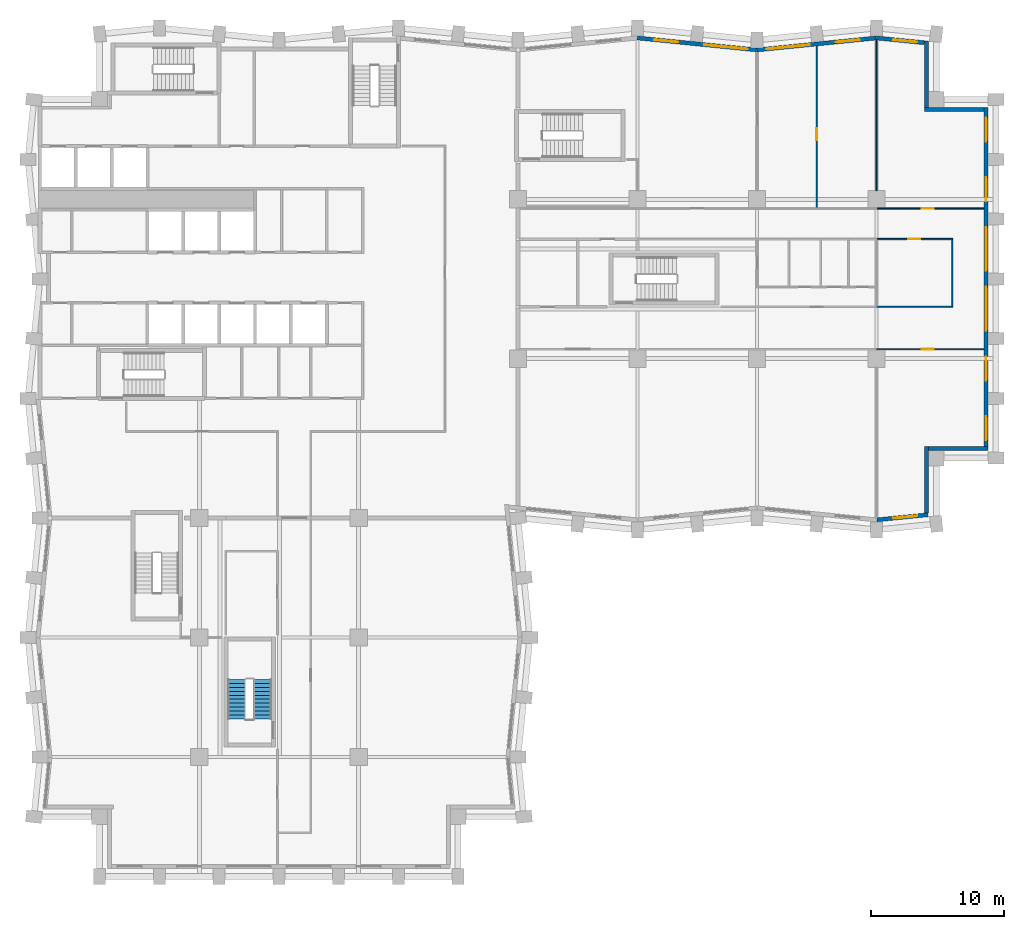
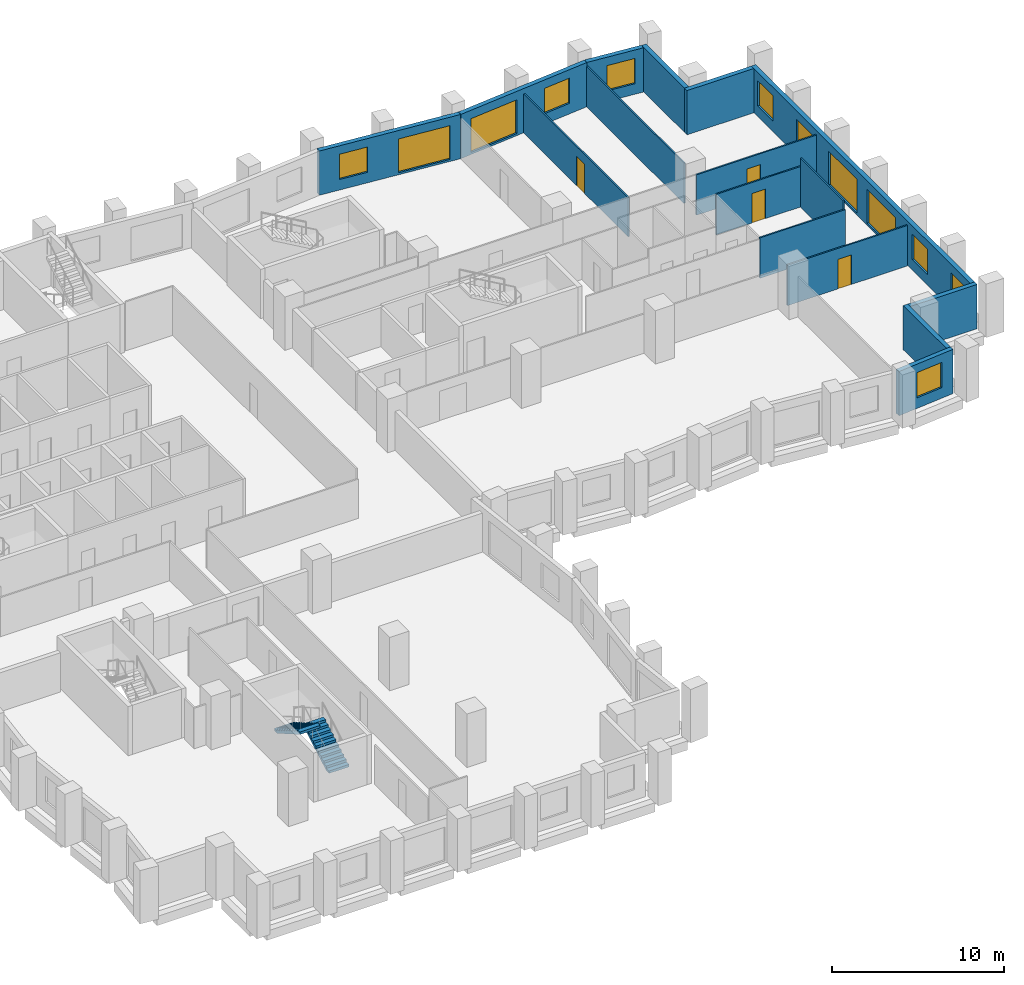
# One storey, part 8 of 11: 16 walls, 12 windows, 4 doors, 2 stair flights, 16 openings, 1 element without a shape of its own.
"""IFC4 building model written with IfcOpenShell, lengths in metres."""

from ifc_helpers import new_model, si_unit, direction, frame, frame_2d, origin, place, context, subcontext, project, spatial, polyline, rectangle, outline, extrude, material, layer, layer_set, type_object, element, fill, aggregate, save


model = new_model("IFC4")

# Units and contexts
model_context = context("Model", 3, precision=1e-05, world=origin(), true_north=direction((0.0, 1.0)))
body_context = subcontext(model_context, "Body", "Model", "MODEL_VIEW")
ifc_project = project(units=[si_unit("LENGTHUNIT", "METRE"), si_unit("AREAUNIT", "SQUARE_METRE"), si_unit("VOLUMEUNIT", "CUBIC_METRE"), si_unit("PLANEANGLEUNIT", "RADIAN"), si_unit("MASSUNIT", "GRAM", prefix="KILO")], contexts=[model_context])

# Site, building, storey
site_placement = place(None, origin())
site = spatial("IfcSite", under=ifc_project, at=site_placement, CompositionType="ELEMENT")
building_placement = place(site_placement, origin())
building = spatial("IfcBuilding", under=site, at=building_placement, Name="Brondeck Convention Tower", CompositionType="ELEMENT")
storey_placement = place(building_placement, frame((0.0, 0.0, 115.10009765625)))
storey = spatial("IfcBuildingStorey", under=building, at=storey_placement, Name="L27", CompositionType="ELEMENT", Elevation=115.10009765625)

# Wall, opening, window
ifc_material_1 = material(Name="Precast concrete C50/60 bronze finish", Category="concrete")
ifc_layer_1 = layer(ifc_material_1, 0.070068359375, Name="Bronze precast facing")
ifc_material_2 = material(Name="Mineral wool")
ifc_layer_2 = layer(ifc_material_2, 0.159912109375, Name="Insulation")
ifc_material_3 = material(Name="Concrete C35/45", Category="concrete")
ifc_layer_3 = layer(ifc_material_3, 0.070068359375, Name="Backing")
ifc_layer_set_1 = layer_set([ifc_layer_1, ifc_layer_2, ifc_layer_3], Name="External infill wall, precast concrete C50/60 bronze facing")
wall_type_1 = type_object("IfcWallType", Name="External infill wall, precast concrete C50/60 bronze facing", PredefinedType="SOLIDWALL", material=ifc_layer_set_1)
wall_1_placement = place(storey_placement, frame((66.885009765625, 27.2421875, 0.0), z_axis=(0.0, 0.0, 1.0), x_axis=(-0.995037814081, -0.099497480111, 0.0)))
wall_1 = element("IfcWall", 1, at=wall_1_placement, inside=storey, type_object=wall_type_1, Name="ENV-EW-L27-P0-A-S-06", PredefinedType="SOLIDWALL", context=body_context, shape_type="SweptSolid", body=[
    extrude(rectangle(XDim=3.87451171875, YDim=0.300048828125, at=frame_2d((1.937255859375, 0.0))), origin(), (0.0, 0.0, 1.0), 3.14990234375),
])
opening_1_placement = place(wall_1_placement, frame((0.818359375, 0.0, 0.75)))
opening_1 = element("IfcOpeningElement", 2, at=opening_1_placement, cuts=wall_1, Name="Opening W10", PredefinedType="OPENING", context=body_context, shape_type="SweptSolid", body=[
    extrude(rectangle(XDim=1.800048828125, YDim=1.800048828125, at=frame_2d((0.89990234375, 0.89990234375))), frame((0.0, 0.159912109375, 0.0), z_axis=(0.0, -1.0, 0.0), x_axis=(1.0, 0.0, 0.0)), (0.0, 0.0, 1.0), 0.320068359375),
])
ifc_material_4 = material(Name="Bronze tinted double glazing", Category="glass")
window_type_1 = type_object("IfcWindowType", Name="Punched window, bronze tinted", PartitioningType="SINGLE_PANEL", PredefinedType="WINDOW", material=ifc_material_4)
window_1_placement = place(opening_1_placement, origin())
window_1 = element("IfcWindow", 3, at=window_1_placement, inside=storey, type_object=window_type_1, Name="ENV-WN-L27-P0-A-S-06", OverallHeight=1.800048828125, OverallWidth=1.800048828125, PartitioningType="SINGLE_PANEL", PredefinedType="WINDOW", context=body_context, shape_type="SweptSolid", body=[
    extrude(rectangle(XDim=1.800048828125, YDim=1.800048828125, at=frame_2d((0.89990234375, 0.89990234375))), frame((0.0, 0.030029296875, 0.0), z_axis=(0.0, -1.0, 0.0), x_axis=(1.0, 0.0, 0.0)), (0.0, 0.0, 1.0), 0.06005859375),
])
fill(opening_1, window_1)

# Walls
wall_2_placement = place(storey_placement, frame((66.75, 32.39990234375, 0.0), z_axis=(0.0, 0.0, 1.0), x_axis=(0.0, -1.0, 0.0)))
element("IfcWall", 4, at=wall_2_placement, inside=storey, type_object=wall_type_1, Name="ENV-EW-L27-P0-NC-SEA72-01", PredefinedType="SOLIDWALL", context=body_context, shape_type="SweptSolid", body=[
    extrude(rectangle(XDim=5.019287109375, YDim=0.300048828125, at=frame_2d((2.509765625, 0.0))), origin(), (0.0, 0.0, 1.0), 3.14990234375),
])
wall_3_placement = place(storey_placement, frame((71.39990234375, 32.25, 0.0), z_axis=(0.0, 0.0, 1.0), x_axis=(-1.0, 0.0, 0.0)))
element("IfcWall", 5, at=wall_3_placement, inside=storey, type_object=wall_type_1, Name="ENV-EW-L27-P0-NC-SEA72-02", PredefinedType="SOLIDWALL", context=body_context, shape_type="SweptSolid", body=[
    extrude(rectangle(XDim=4.5, YDim=0.300048828125, at=frame_2d((2.25, 0.0))), origin(), (0.0, 0.0, 1.0), 3.14990234375),
])

# Wall, openings, windows
wall_4_placement = place(storey_placement, frame((71.25, 57.89990234375, 0.0), z_axis=(0.0, 0.0, 1.0), x_axis=(0.0, -1.0, 0.0)))
wall_4 = element("IfcWall", 6, at=wall_4_placement, inside=storey, type_object=wall_type_1, Name="ENV-EW-L27-P0-A-E72-01", PredefinedType="SOLIDWALL", context=body_context, shape_type="SweptSolid", body=[
    extrude(rectangle(XDim=25.501953125, YDim=0.300048828125, at=frame_2d((12.7509765625, 0.0))), origin(), (0.0, 0.0, 1.0), 3.14990234375),
])
opening_2_placement = place(wall_4_placement, frame((0.75, 0.0, 0.75)))
opening_2 = element("IfcOpeningElement", 7, at=opening_2_placement, cuts=wall_4, Name="Opening W10", PredefinedType="OPENING", context=body_context, shape_type="SweptSolid", body=[
    extrude(rectangle(XDim=1.800048828125, YDim=1.800048828125, at=frame_2d((0.89990234375, 0.89990234375))), frame((0.0, 0.159912109375, 0.0), z_axis=(0.0, -1.0, 0.0), x_axis=(1.0, 0.0, 0.0)), (0.0, 0.0, 1.0), 0.320068359375),
])
opening_3_placement = place(wall_4_placement, frame((5.25, 0.0, 0.75)))
opening_3 = element("IfcOpeningElement", 8, at=opening_3_placement, cuts=wall_4, Name="Opening W10", PredefinedType="OPENING", context=body_context, shape_type="SweptSolid", body=[
    extrude(rectangle(XDim=1.800048828125, YDim=1.800048828125, at=frame_2d((0.89990234375, 0.89990234375))), frame((0.0, 0.159912109375, 0.0), z_axis=(0.0, -1.0, 0.0), x_axis=(1.0, 0.0, 0.0)), (0.0, 0.0, 1.0), 0.320068359375),
])
opening_4_placement = place(wall_4_placement, frame((9.0, 0.0, 0.14990234375)))
opening_4 = element("IfcOpeningElement", 9, at=opening_4_placement, cuts=wall_4, Name="Opening W9", PredefinedType="OPENING", context=body_context, shape_type="SweptSolid", body=[
    extrude(rectangle(XDim=3.300048828125, YDim=2.39990234375, at=frame_2d((1.64990234375, 1.199951171875))), frame((0.0, 0.159912109375, 0.0), z_axis=(0.0, -1.0, 0.0), x_axis=(1.0, 0.0, 0.0)), (0.0, 0.0, 1.0), 0.320068359375),
])
opening_5_placement = place(wall_4_placement, frame((13.5, 0.0, 0.14990234375)))
opening_5 = element("IfcOpeningElement", 10, at=opening_5_placement, cuts=wall_4, Name="Opening W9", PredefinedType="OPENING", context=body_context, shape_type="SweptSolid", body=[
    extrude(rectangle(XDim=3.300048828125, YDim=2.39990234375, at=frame_2d((1.64990234375, 1.199951171875))), frame((0.0, 0.159912109375, 0.0), z_axis=(0.0, -1.0, 0.0), x_axis=(1.0, 0.0, 0.0)), (0.0, 0.0, 1.0), 0.320068359375),
])
opening_6_placement = place(wall_4_placement, frame((18.75, 0.0, 0.75)))
opening_6 = element("IfcOpeningElement", 11, at=opening_6_placement, cuts=wall_4, Name="Opening W10", PredefinedType="OPENING", context=body_context, shape_type="SweptSolid", body=[
    extrude(rectangle(XDim=1.800048828125, YDim=1.800048828125, at=frame_2d((0.89990234375, 0.89990234375))), frame((0.0, 0.159912109375, 0.0), z_axis=(0.0, -1.0, 0.0), x_axis=(1.0, 0.0, 0.0)), (0.0, 0.0, 1.0), 0.320068359375),
])
opening_7_placement = place(wall_4_placement, frame((23.25, 0.0, 0.75)))
opening_7 = element("IfcOpeningElement", 12, at=opening_7_placement, cuts=wall_4, Name="Opening W10", PredefinedType="OPENING", context=body_context, shape_type="SweptSolid", body=[
    extrude(rectangle(XDim=1.800048828125, YDim=1.800048828125, at=frame_2d((0.89990234375, 0.89990234375))), frame((0.0, 0.159912109375, 0.0), z_axis=(0.0, -1.0, 0.0), x_axis=(1.0, 0.0, 0.0)), (0.0, 0.0, 1.0), 0.320068359375),
])
window_type_2 = type_object("IfcWindowType", Name="Glazed flute window, bronze tinted", PartitioningType="SINGLE_PANEL", PredefinedType="WINDOW", material=ifc_material_4)
window_2_placement = place(opening_4_placement, origin())
window_2 = element("IfcWindow", 13, at=window_2_placement, inside=storey, type_object=window_type_2, Name="ENV-WN-L27-P0-A-E72-04", OverallHeight=2.39990234375, OverallWidth=3.300048828125, PartitioningType="SINGLE_PANEL", PredefinedType="WINDOW", context=body_context, shape_type="SweptSolid", body=[
    extrude(rectangle(XDim=3.300048828125, YDim=2.39990234375, at=frame_2d((1.64990234375, 1.199951171875))), frame((0.0, 0.030029296875, 0.0), z_axis=(0.0, -1.0, 0.0), x_axis=(1.0, 0.0, 0.0)), (0.0, 0.0, 1.0), 0.06005859375),
])
fill(opening_4, window_2)
window_3_placement = place(opening_5_placement, origin())
window_3 = element("IfcWindow", 14, at=window_3_placement, inside=storey, type_object=window_type_2, Name="ENV-WN-L27-P0-A-E72-03", OverallHeight=2.39990234375, OverallWidth=3.300048828125, PartitioningType="SINGLE_PANEL", PredefinedType="WINDOW", context=body_context, shape_type="SweptSolid", body=[
    extrude(rectangle(XDim=3.300048828125, YDim=2.39990234375, at=frame_2d((1.64990234375, 1.199951171875))), frame((0.0, 0.030029296875, 0.0), z_axis=(0.0, -1.0, 0.0), x_axis=(1.0, 0.0, 0.0)), (0.0, 0.0, 1.0), 0.06005859375),
])
fill(opening_5, window_3)
window_4_placement = place(opening_2_placement, origin())
window_4 = element("IfcWindow", 15, at=window_4_placement, inside=storey, type_object=window_type_1, Name="ENV-WN-L27-P0-A-E72-06", OverallHeight=1.800048828125, OverallWidth=1.800048828125, PartitioningType="SINGLE_PANEL", PredefinedType="WINDOW", context=body_context, shape_type="SweptSolid", body=[
    extrude(rectangle(XDim=1.800048828125, YDim=1.800048828125, at=frame_2d((0.89990234375, 0.89990234375))), frame((0.0, 0.030029296875, 0.0), z_axis=(0.0, -1.0, 0.0), x_axis=(1.0, 0.0, 0.0)), (0.0, 0.0, 1.0), 0.06005859375),
])
fill(opening_2, window_4)
window_5_placement = place(opening_3_placement, origin())
window_5 = element("IfcWindow", 16, at=window_5_placement, inside=storey, type_object=window_type_1, Name="ENV-WN-L27-P0-A-E72-05", OverallHeight=1.800048828125, OverallWidth=1.800048828125, PartitioningType="SINGLE_PANEL", PredefinedType="WINDOW", context=body_context, shape_type="SweptSolid", body=[
    extrude(rectangle(XDim=1.800048828125, YDim=1.800048828125, at=frame_2d((0.89990234375, 0.89990234375))), frame((0.0, 0.030029296875, 0.0), z_axis=(0.0, -1.0, 0.0), x_axis=(1.0, 0.0, 0.0)), (0.0, 0.0, 1.0), 0.06005859375),
])
fill(opening_3, window_5)
window_6_placement = place(opening_6_placement, origin())
window_6 = element("IfcWindow", 17, at=window_6_placement, inside=storey, type_object=window_type_1, Name="ENV-WN-L27-P0-A-E72-02", OverallHeight=1.800048828125, OverallWidth=1.800048828125, PartitioningType="SINGLE_PANEL", PredefinedType="WINDOW", context=body_context, shape_type="SweptSolid", body=[
    extrude(rectangle(XDim=1.800048828125, YDim=1.800048828125, at=frame_2d((0.89990234375, 0.89990234375))), frame((0.0, 0.030029296875, 0.0), z_axis=(0.0, -1.0, 0.0), x_axis=(1.0, 0.0, 0.0)), (0.0, 0.0, 1.0), 0.06005859375),
])
fill(opening_6, window_6)
window_7_placement = place(opening_7_placement, origin())
window_7 = element("IfcWindow", 18, at=window_7_placement, inside=storey, type_object=window_type_1, Name="ENV-WN-L27-P0-A-E72-01", OverallHeight=1.800048828125, OverallWidth=1.800048828125, PartitioningType="SINGLE_PANEL", PredefinedType="WINDOW", context=body_context, shape_type="SweptSolid", body=[
    extrude(rectangle(XDim=1.800048828125, YDim=1.800048828125, at=frame_2d((0.89990234375, 0.89990234375))), frame((0.0, 0.030029296875, 0.0), z_axis=(0.0, -1.0, 0.0), x_axis=(1.0, 0.0, 0.0)), (0.0, 0.0, 1.0), 0.06005859375),
])
fill(opening_7, window_7)

# Walls
wall_5_placement = place(storey_placement, frame((66.60009765625, 57.75, 0.0), z_axis=(0.0, 0.0, 1.0), x_axis=(1.0, 0.0, 0.0)))
element("IfcWall", 19, at=wall_5_placement, inside=storey, type_object=wall_type_1, Name="ENV-EW-L27-P0-NC-NEA72-01", PredefinedType="SOLIDWALL", context=body_context, shape_type="SweptSolid", body=[
    extrude(rectangle(XDim=4.5, YDim=0.300048828125, at=frame_2d((2.25, 0.0))), origin(), (0.0, 0.0, 1.0), 3.14990234375),
])
wall_6_placement = place(storey_placement, frame((66.75, 62.906982421875, 0.0), z_axis=(0.0, 0.0, 1.0), x_axis=(0.0, -1.0, 0.0)))
element("IfcWall", 20, at=wall_6_placement, inside=storey, type_object=wall_type_1, Name="ENV-EW-L27-P0-NC-NEA72-02", PredefinedType="SOLIDWALL", context=body_context, shape_type="SweptSolid", body=[
    extrude(rectangle(XDim=5.009033203125, YDim=0.300048828125, at=frame_2d((2.50439453125, 0.0))), origin(), (0.0, 0.0, 1.0), 3.14990234375),
])

# Wall, opening, window
wall_7_placement = place(storey_placement, frame((62.985107421875, 63.147705078125, 0.0), z_axis=(0.0, 0.0, 1.0), x_axis=(0.995038521274, -0.099490407478, 0.0)))
wall_7 = element("IfcWall", 21, at=wall_7_placement, inside=storey, type_object=wall_type_1, Name="ENV-EW-L27-P0-A-N-14", PredefinedType="SOLIDWALL", context=body_context, shape_type="SweptSolid", body=[
    extrude(rectangle(XDim=3.6318359375, YDim=0.300048828125, at=frame_2d((1.81591796875, 0.0))), origin(), (0.0, 0.0, 1.0), 3.14990234375),
])
opening_8_placement = place(wall_7_placement, frame((1.30126953125, 0.0, 0.75)))
opening_8 = element("IfcOpeningElement", 22, at=opening_8_placement, cuts=wall_7, Name="Opening W10", PredefinedType="OPENING", context=body_context, shape_type="SweptSolid", body=[
    extrude(rectangle(XDim=1.800048828125, YDim=1.800048828125, at=frame_2d((0.89990234375, 0.89990234375))), frame((0.0, 0.159912109375, 0.0), z_axis=(0.0, -1.0, 0.0), x_axis=(1.0, 0.0, 0.0)), (0.0, 0.0, 1.0), 0.320068359375),
])
window_8_placement = place(opening_8_placement, origin())
window_8 = element("IfcWindow", 23, at=window_8_placement, inside=storey, type_object=window_type_1, Name="ENV-WN-L27-P0-A-N-14", OverallHeight=1.800048828125, OverallWidth=1.800048828125, PartitioningType="SINGLE_PANEL", PredefinedType="WINDOW", context=body_context, shape_type="SweptSolid", body=[
    extrude(rectangle(XDim=1.800048828125, YDim=1.800048828125, at=frame_2d((0.89990234375, 0.89990234375))), frame((0.0, 0.030029296875, 0.0), z_axis=(0.0, -1.0, 0.0), x_axis=(1.0, 0.0, 0.0)), (0.0, 0.0, 1.0), 0.06005859375),
])
fill(opening_8, window_8)

# Wall, openings, windows
wall_8_placement = place(storey_placement, frame((53.985107421875, 62.244873046875, 0.0), z_axis=(0.0, 0.0, 1.0), x_axis=(0.995037993253, 0.099495688264, 0.0)))
wall_8 = element("IfcWall", 24, at=wall_8_placement, inside=storey, type_object=wall_type_1, Name="ENV-EW-L27-P0-A-N-13", PredefinedType="SOLIDWALL", context=body_context, shape_type="SweptSolid", body=[
    extrude(rectangle(XDim=9.030029296875, YDim=0.300048828125, at=frame_2d((4.51513671875, 0.0))), origin(), (0.0, 0.0, 1.0), 3.14990234375),
])
opening_9_placement = place(wall_8_placement, frame((0.701171875, 0.0, 0.14990234375)))
opening_9 = element("IfcOpeningElement", 25, at=opening_9_placement, cuts=wall_8, Name="Opening W9", PredefinedType="OPENING", context=body_context, shape_type="SweptSolid", body=[
    extrude(rectangle(XDim=3.300048828125, YDim=2.39990234375, at=frame_2d((1.64990234375, 1.199951171875))), frame((0.0, 0.159912109375, 0.0), z_axis=(0.0, -1.0, 0.0), x_axis=(1.0, 0.0, 0.0)), (0.0, 0.0, 1.0), 0.320068359375),
])
opening_10_placement = place(wall_8_placement, frame((5.9736328125, 0.0, 0.75)))
opening_10 = element("IfcOpeningElement", 26, at=opening_10_placement, cuts=wall_8, Name="Opening W10", PredefinedType="OPENING", context=body_context, shape_type="SweptSolid", body=[
    extrude(rectangle(XDim=1.800048828125, YDim=1.800048828125, at=frame_2d((0.89990234375, 0.89990234375))), frame((0.0, 0.159912109375, 0.0), z_axis=(0.0, -1.0, 0.0), x_axis=(1.0, 0.0, 0.0)), (0.0, 0.0, 1.0), 0.320068359375),
])
window_9_placement = place(opening_9_placement, origin())
window_9 = element("IfcWindow", 27, at=window_9_placement, inside=storey, type_object=window_type_2, Name="ENV-WN-L27-P0-A-N-12", OverallHeight=2.39990234375, OverallWidth=3.300048828125, PartitioningType="SINGLE_PANEL", PredefinedType="WINDOW", context=body_context, shape_type="SweptSolid", body=[
    extrude(rectangle(XDim=3.300048828125, YDim=2.39990234375, at=frame_2d((1.64990234375, 1.199951171875))), frame((0.0, 0.030029296875, 0.0), z_axis=(0.0, -1.0, 0.0), x_axis=(1.0, 0.0, 0.0)), (0.0, 0.0, 1.0), 0.06005859375),
])
fill(opening_9, window_9)
window_10_placement = place(opening_10_placement, origin())
window_10 = element("IfcWindow", 28, at=window_10_placement, inside=storey, type_object=window_type_1, Name="ENV-WN-L27-P0-A-N-13", OverallHeight=1.800048828125, OverallWidth=1.800048828125, PartitioningType="SINGLE_PANEL", PredefinedType="WINDOW", context=body_context, shape_type="SweptSolid", body=[
    extrude(rectangle(XDim=1.800048828125, YDim=1.800048828125, at=frame_2d((0.89990234375, 0.89990234375))), frame((0.0, 0.030029296875, 0.0), z_axis=(0.0, -1.0, 0.0), x_axis=(1.0, 0.0, 0.0)), (0.0, 0.0, 1.0), 0.06005859375),
])
fill(opening_10, window_10)

wall_9_placement = place(storey_placement, frame((44.985107421875, 63.147705078125, 0.0), z_axis=(0.0, 0.0, 1.0), x_axis=(0.995037993253, -0.099495688264, 0.0)))
wall_9 = element("IfcWall", 29, at=wall_9_placement, inside=storey, type_object=wall_type_1, Name="ENV-EW-L27-P0-A-N-11", PredefinedType="SOLIDWALL", context=body_context, shape_type="SweptSolid", body=[
    extrude(rectangle(XDim=9.030029296875, YDim=0.300048828125, at=frame_2d((4.51513671875, 0.0))), origin(), (0.0, 0.0, 1.0), 3.14990234375),
])
opening_11_placement = place(wall_9_placement, frame((1.30126953125, 0.0, 0.75)))
opening_11 = element("IfcOpeningElement", 30, at=opening_11_placement, cuts=wall_9, Name="Opening W10", PredefinedType="OPENING", context=body_context, shape_type="SweptSolid", body=[
    extrude(rectangle(XDim=1.800048828125, YDim=1.800048828125, at=frame_2d((0.89990234375, 0.89990234375))), frame((0.0, 0.159912109375, 0.0), z_axis=(0.0, -1.0, 0.0), x_axis=(1.0, 0.0, 0.0)), (0.0, 0.0, 1.0), 0.320068359375),
])
opening_12_placement = place(wall_9_placement, frame((5.073486328125, 0.0, 0.14990234375)))
opening_12 = element("IfcOpeningElement", 31, at=opening_12_placement, cuts=wall_9, Name="Opening W9", PredefinedType="OPENING", context=body_context, shape_type="SweptSolid", body=[
    extrude(rectangle(XDim=3.300048828125, YDim=2.39990234375, at=frame_2d((1.64990234375, 1.199951171875))), frame((0.0, 0.159912109375, 0.0), z_axis=(0.0, -1.0, 0.0), x_axis=(1.0, 0.0, 0.0)), (0.0, 0.0, 1.0), 0.320068359375),
])
window_11_placement = place(opening_12_placement, origin())
window_11 = element("IfcWindow", 32, at=window_11_placement, inside=storey, type_object=window_type_2, Name="ENV-WN-L27-P0-A-N-11", OverallHeight=2.39990234375, OverallWidth=3.300048828125, PartitioningType="SINGLE_PANEL", PredefinedType="WINDOW", context=body_context, shape_type="SweptSolid", body=[
    extrude(rectangle(XDim=3.300048828125, YDim=2.39990234375, at=frame_2d((1.64990234375, 1.199951171875))), frame((0.0, 0.030029296875, 0.0), z_axis=(0.0, -1.0, 0.0), x_axis=(1.0, 0.0, 0.0)), (0.0, 0.0, 1.0), 0.06005859375),
])
fill(opening_12, window_11)
window_12_placement = place(opening_11_placement, origin())
window_12 = element("IfcWindow", 33, at=window_12_placement, inside=storey, type_object=window_type_1, Name="ENV-WN-L27-P0-A-N-10", OverallHeight=1.800048828125, OverallWidth=1.800048828125, PartitioningType="SINGLE_PANEL", PredefinedType="WINDOW", context=body_context, shape_type="SweptSolid", body=[
    extrude(rectangle(XDim=1.800048828125, YDim=1.800048828125, at=frame_2d((0.89990234375, 0.89990234375))), frame((0.0, 0.030029296875, 0.0), z_axis=(0.0, -1.0, 0.0), x_axis=(1.0, 0.0, 0.0)), (0.0, 0.0, 1.0), 0.06005859375),
])
fill(opening_11, window_12)

# Wall, opening, door
ifc_material_5 = material(Name="Gypsum board partition on steel studs", Category="steel")
ifc_layer_4 = layer(ifc_material_5, 0.10009765625)
ifc_layer_set_2 = layer_set([ifc_layer_4], Name="Room partition 100")
wall_type_2 = type_object("IfcWallType", Name="Room partition 100", PredefinedType="PARTITIONING", material=ifc_layer_set_2)
wall_10_placement = place(storey_placement, frame((71.080078125, 39.699951171875, 0.0), z_axis=(0.0, 0.0, 1.0), x_axis=(-1.0, 0.0, 0.0)))
wall_10 = element("IfcWall", 34, at=wall_10_placement, inside=storey, type_object=wall_type_2, Name="FLR-L27-W026", PredefinedType="PARTITIONING", context=body_context, shape_type="SweptSolid", body=[
    extrude(rectangle(XDim=8.080078125, YDim=0.10009765625, at=frame_2d((4.0400390625, 0.0))), origin(), (0.0, 0.0, 1.0), 2.8798828125),
])
opening_13_placement = place(wall_10_placement, frame((3.781005859375, 0.0, 0.0)))
opening_13 = element("IfcOpeningElement", 35, at=opening_13_placement, cuts=wall_10, Name="Opening OF-C-011", PredefinedType="OPENING", context=body_context, shape_type="SweptSolid", body=[
    extrude(rectangle(XDim=0.89990234375, YDim=2.10009765625, at=frame_2d((0.449951171875, 1.050048828125))), frame((0.0, 0.06005859375, 0.0), z_axis=(0.0, -1.0, 0.0), x_axis=(1.0, 0.0, 0.0)), (0.0, 0.0, 1.0), 0.1201171875),
])
ifc_material_6 = material(Name="Solid timber door leaf", Category="wood")
door_type = type_object("IfcDoorType", Name="Single door 900", OperationType="NOTDEFINED", PredefinedType="DOOR", material=ifc_material_6)
door_1_placement = place(opening_13_placement, origin())
door_1 = element("IfcDoor", 36, at=door_1_placement, inside=storey, type_object=door_type, Name="Door OF-C-011", OperationType="SINGLE_SWING_RIGHT", OverallHeight=2.10009765625, OverallWidth=0.89990234375, PredefinedType="DOOR", context=body_context, shape_type="SweptSolid", body=[
    extrude(rectangle(XDim=0.89990234375, YDim=2.10009765625, at=frame_2d((0.449951171875, 1.050048828125))), frame((0.0, 0.02490234375, 0.0), z_axis=(0.0, -1.0, 0.0), x_axis=(1.0, 0.0, 0.0)), (0.0, 0.0, 1.0), 0.050048828125),
])
fill(opening_13, door_1)

# Walls
wall_11_placement = place(storey_placement, frame((63.0, 42.89990234375, 0.0), z_axis=(0.0, 0.0, 1.0), x_axis=(1.0, 0.0, 0.0)))
element("IfcWall", 37, at=wall_11_placement, inside=storey, type_object=wall_type_2, Name="FLR-L27-W031", PredefinedType="PARTITIONING", context=body_context, shape_type="SweptSolid", body=[
    extrude(rectangle(XDim=5.75, YDim=0.10009765625, at=frame_2d((2.875, 0.0))), origin(), (0.0, 0.0, 1.0), 2.8798828125),
])
wall_12_placement = place(storey_placement, frame((68.699951171875, 42.949951171875, 0.0), z_axis=(0.0, 0.0, 1.0), x_axis=(0.0, 1.0, 0.0)))
element("IfcWall", 38, at=wall_12_placement, inside=storey, type_object=wall_type_2, Name="FLR-L27-W032", PredefinedType="PARTITIONING", context=body_context, shape_type="SweptSolid", body=[
    extrude(rectangle(XDim=5.0, YDim=0.10009765625, at=frame_2d((2.5, 0.0))), origin(), (0.0, 0.0, 1.0), 3.47998046875),
])

# Wall, opening, door
wall_13_placement = place(storey_placement, frame((68.75, 48.0, 0.0), z_axis=(0.0, 0.0, 1.0), x_axis=(-1.0, 0.0, 0.0)))
wall_13 = element("IfcWall", 39, at=wall_13_placement, inside=storey, type_object=wall_type_2, Name="FLR-L27-W053", PredefinedType="PARTITIONING", context=body_context, shape_type="SweptSolid", body=[
    extrude(rectangle(XDim=5.75, YDim=0.10009765625, at=frame_2d((2.875, 0.0))), origin(), (0.0, 0.0, 1.0), 2.8798828125),
])
opening_14_placement = place(wall_13_placement, frame((2.449951171875, 0.0, 0.0)))
opening_14 = element("IfcOpeningElement", 40, at=opening_14_placement, cuts=wall_13, Name="Opening OF-C-009", PredefinedType="OPENING", context=body_context, shape_type="SweptSolid", body=[
    extrude(rectangle(XDim=0.89990234375, YDim=2.10009765625, at=frame_2d((0.449951171875, 1.050048828125))), frame((0.0, 0.06005859375, 0.0), z_axis=(0.0, -1.0, 0.0), x_axis=(1.0, 0.0, 0.0)), (0.0, 0.0, 1.0), 0.1201171875),
])
door_2_placement = place(opening_14_placement, origin())
door_2 = element("IfcDoor", 41, at=door_2_placement, inside=storey, type_object=door_type, Name="Door OF-C-009", OperationType="SINGLE_SWING_RIGHT", OverallHeight=2.10009765625, OverallWidth=0.89990234375, PredefinedType="DOOR", context=body_context, shape_type="SweptSolid", body=[
    extrude(rectangle(XDim=0.89990234375, YDim=2.10009765625, at=frame_2d((0.449951171875, 1.050048828125))), frame((0.0, 0.02490234375, 0.0), z_axis=(0.0, -1.0, 0.0), x_axis=(1.0, 0.0, 0.0)), (0.0, 0.0, 1.0), 0.050048828125),
])
fill(opening_14, door_2)

wall_14_placement = place(storey_placement, frame((63.0, 50.300048828125, 0.0), z_axis=(0.0, 0.0, 1.0), x_axis=(1.0, 0.0, 0.0)))
wall_14 = element("IfcWall", 42, at=wall_14_placement, inside=storey, type_object=wall_type_2, Name="FLR-L27-W059", PredefinedType="PARTITIONING", context=body_context, shape_type="SweptSolid", body=[
    extrude(rectangle(XDim=8.080078125, YDim=0.10009765625, at=frame_2d((4.0400390625, 0.0))), origin(), (0.0, 0.0, 1.0), 2.8798828125),
])
opening_15_placement = place(wall_14_placement, frame((3.39892578125, 0.0, 0.0)))
opening_15 = element("IfcOpeningElement", 43, at=opening_15_placement, cuts=wall_14, Name="Opening OF-C-015", PredefinedType="OPENING", context=body_context, shape_type="SweptSolid", body=[
    extrude(rectangle(XDim=0.89990234375, YDim=2.10009765625, at=frame_2d((0.449951171875, 1.050048828125))), frame((0.0, 0.06005859375, 0.0), z_axis=(0.0, -1.0, 0.0), x_axis=(1.0, 0.0, 0.0)), (0.0, 0.0, 1.0), 0.1201171875),
])
door_3_placement = place(opening_15_placement, origin())
door_3 = element("IfcDoor", 44, at=door_3_placement, inside=storey, type_object=door_type, Name="Door OF-C-015", OperationType="SINGLE_SWING_LEFT", OverallHeight=2.10009765625, OverallWidth=0.89990234375, PredefinedType="DOOR", context=body_context, shape_type="SweptSolid", body=[
    extrude(rectangle(XDim=0.89990234375, YDim=2.10009765625, at=frame_2d((0.449951171875, 1.050048828125))), frame((0.0, 0.02490234375, 0.0), z_axis=(0.0, -1.0, 0.0), x_axis=(1.0, 0.0, 0.0)), (0.0, 0.0, 1.0), 0.050048828125),
])
fill(opening_15, door_3)

wall_15_placement = place(storey_placement, frame((58.5, 62.525390625, 0.0), z_axis=(0.0, 0.0, 1.0), x_axis=(0.0, -1.0, 0.0)))
wall_15 = element("IfcWall", 45, at=wall_15_placement, inside=storey, type_object=wall_type_2, Name="FLR-L27-W068", PredefinedType="PARTITIONING", context=body_context, shape_type="SweptSolid", body=[
    extrude(rectangle(XDim=12.17529296875, YDim=0.10009765625, at=frame_2d((6.087646484375, 0.0))), origin(), (0.0, 0.0, 1.0), 2.77978515625),
])
opening_16_placement = place(wall_15_placement, frame((6.180419921875, 0.0, 0.0)))
opening_16 = element("IfcOpeningElement", 46, at=opening_16_placement, cuts=wall_15, Name="Opening OF-C-014", PredefinedType="OPENING", context=body_context, shape_type="SweptSolid", body=[
    extrude(rectangle(XDim=0.89990234375, YDim=2.10009765625, at=frame_2d((0.449951171875, 1.050048828125))), frame((0.0, 0.06005859375, 0.0), z_axis=(0.0, -1.0, 0.0), x_axis=(1.0, 0.0, 0.0)), (0.0, 0.0, 1.0), 0.1201171875),
])
door_4_placement = place(opening_16_placement, origin())
door_4 = element("IfcDoor", 47, at=door_4_placement, inside=storey, type_object=door_type, Name="Door OF-C-014", OperationType="SINGLE_SWING_LEFT", OverallHeight=2.10009765625, OverallWidth=0.89990234375, PredefinedType="DOOR", context=body_context, shape_type="SweptSolid", body=[
    extrude(rectangle(XDim=0.89990234375, YDim=2.10009765625, at=frame_2d((0.449951171875, 1.050048828125))), frame((0.0, 0.02490234375, 0.0), z_axis=(0.0, -1.0, 0.0), x_axis=(1.0, 0.0, 0.0)), (0.0, 0.0, 1.0), 0.050048828125),
])
fill(opening_16, door_4)

# Wall
wall_16_placement = place(storey_placement, frame((63.0, 62.9755859375, 0.0), z_axis=(0.0, 0.0, 1.0), x_axis=(0.0, -1.0, 0.0)))
element("IfcWall", 48, at=wall_16_placement, inside=storey, type_object=wall_type_2, Name="FLR-L27-W069", PredefinedType="PARTITIONING", context=body_context, shape_type="SweptSolid", body=[
    extrude(rectangle(XDim=11.320556640625, YDim=0.10009765625, at=frame_2d((5.66015625, 0.0))), origin(), (0.0, 0.0, 1.0), 2.8798828125),
])

# Stair, stair flights
ifc_material_7 = material(Name="Precast concrete C50/60", Category="concrete")
stair_type = type_object("IfcStairType", Name="Core stair 22 risers 172.73 mm riser 300 mm going 1350 wide", PredefinedType="HALF_TURN_STAIR", material=ifc_material_7)
stair_placement = place(storey_placement, origin())
stair = element("IfcStair", 49, at=stair_placement, inside=storey, type_object=stair_type, Name="ST-BF L27 stair", PredefinedType="HALF_TURN_STAIR")
stair_flight_type = type_object("IfcStairFlightType", Name="Core stair flight 22 risers 172.73 mm riser 300 mm going 1350 wide", PredefinedType="STRAIGHT", material=ifc_material_7)
stair_flight_1_placement = place(storey_placement, frame((16.77490234375, 11.85009765625, 0.0), z_axis=(0.0, 0.0, 1.0), x_axis=(0.0, 1.0, 0.0)))
stair_flight_1 = element("IfcStairFlight", 50, at=stair_flight_1_placement, type_object=stair_flight_type, Name="ST-BF flight 1", NumberOfRisers=11, NumberOfTreads=10, PredefinedType="STRAIGHT", RiserHeight=0.172727273, TreadLength=0.3, context=body_context, shape_type="SweptSolid", body=[
    extrude(outline(polyline([(0.0, 0.0), (0.0, 0.172607421875), (0.300048828125, 0.172607421875), (0.300048828125, 0.345458984375), (0.60009765625, 0.345458984375), (0.60009765625, 0.51806640625), (0.89990234375, 0.51806640625), (0.89990234375, 0.69091796875), (1.199951171875, 0.69091796875), (1.199951171875, 0.863525390625), (1.5, 0.863525390625), (1.5, 1.036376953125), (1.800048828125, 1.036376953125), (1.800048828125, 1.208984375), (2.10009765625, 1.208984375), (2.10009765625, 1.3818359375), (2.39990234375, 1.3818359375), (2.39990234375, 1.554443359375), (2.699951171875, 1.554443359375), (2.699951171875, 1.727294921875), (3.0, 1.727294921875), (3.0, 1.89990234375), (3.0, 1.55419921875), (0.300537109375, 0.0), (0.0, 0.0)])), frame((0.0, 0.675048828125, 0.0), z_axis=(0.0, -1.0, 0.0), x_axis=(1.0, 0.0, 0.0)), (0.0, 0.0, 1.0), 1.35009765625),
])
stair_flight_2_placement = place(storey_placement, frame((14.824951171875, 14.85009765625, 1.89990234375), z_axis=(0.0, 0.0, 1.0), x_axis=(0.0, -1.0, 0.0)))
stair_flight_2 = element("IfcStairFlight", 51, at=stair_flight_2_placement, type_object=stair_flight_type, Name="ST-BF flight 2", NumberOfRisers=11, NumberOfTreads=10, PredefinedType="STRAIGHT", RiserHeight=0.172727273, TreadLength=0.3, context=body_context, shape_type="SweptSolid", body=[
    extrude(outline(polyline([(0.0, 0.0), (0.0, 0.172607421875), (0.300048828125, 0.172607421875), (0.300048828125, 0.345458984375), (0.60009765625, 0.345458984375), (0.60009765625, 0.51806640625), (0.89990234375, 0.51806640625), (0.89990234375, 0.69091796875), (1.199951171875, 0.69091796875), (1.199951171875, 0.863525390625), (1.5, 0.863525390625), (1.5, 1.036376953125), (1.800048828125, 1.036376953125), (1.800048828125, 1.208984375), (2.10009765625, 1.208984375), (2.10009765625, 1.3818359375), (2.39990234375, 1.3818359375), (2.39990234375, 1.554443359375), (2.699951171875, 1.554443359375), (2.699951171875, 1.727294921875), (3.0, 1.727294921875), (3.0, 1.89990234375), (3.0, 1.55419921875), (0.300537109375, 0.0), (0.0, 0.0)])), frame((0.0, 0.675048828125, 0.0), z_axis=(0.0, -1.0, 0.0), x_axis=(1.0, 0.0, 0.0)), (0.0, 0.0, 1.0), 1.35009765625),
])
aggregate(stair, [stair_flight_1, stair_flight_2])

save(model, "model.ifc")
